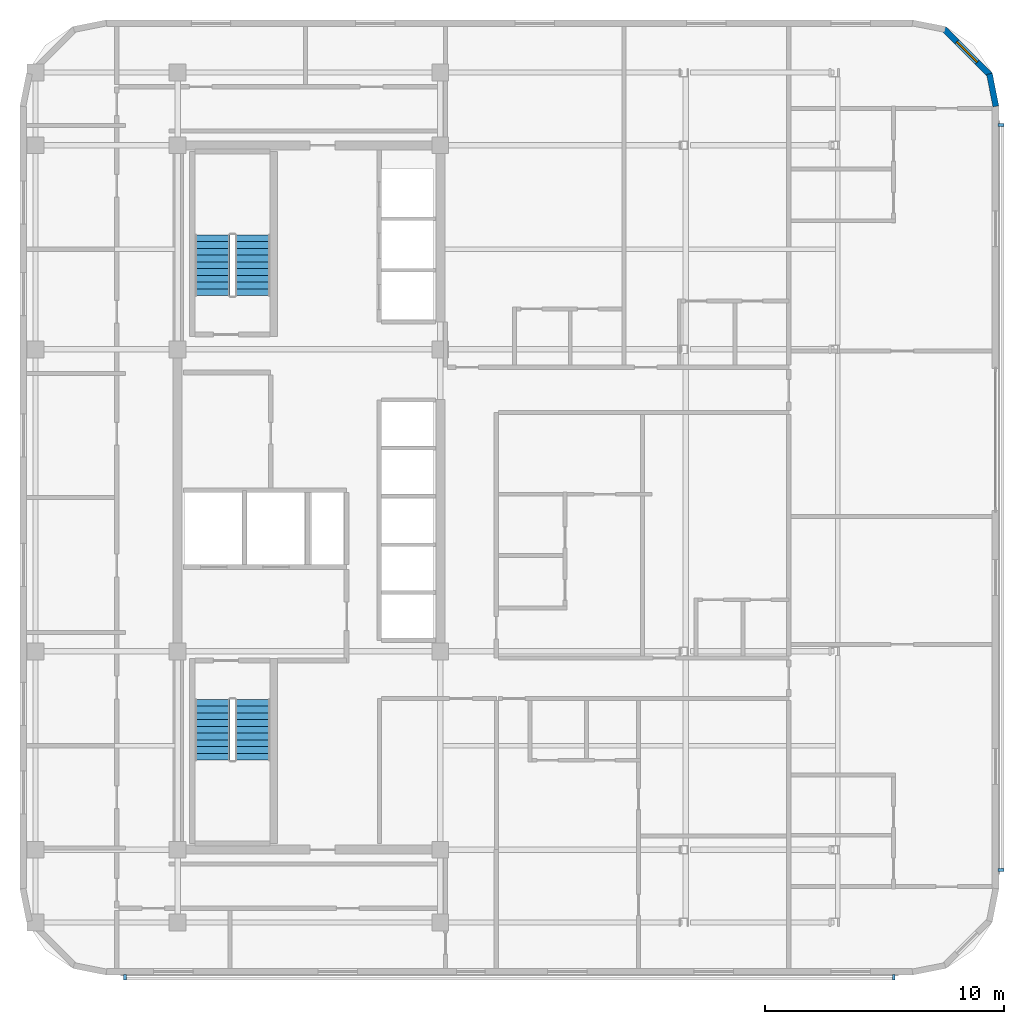
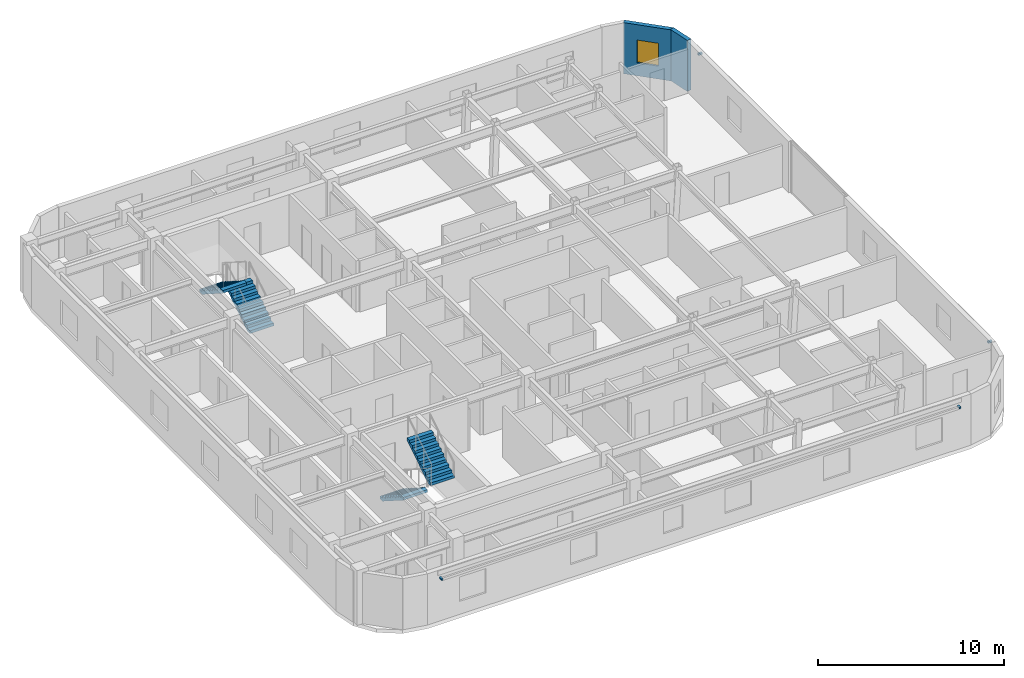
# One storey, part 8 of 11: 4 discrete accessories, 4 stair flights, 2 walls, 1 window, 1 opening, 2 elements without a shape of their own.
"""IFC4 building model written with IfcOpenShell, lengths in metres."""

from ifc_helpers import new_model, si_unit, direction, frame, frame_2d, origin, origin_2d, place, context, subcontext, project, spatial, polyline, rectangle, outline, extrude, material, layer, layer_set, type_object, element, fill, aggregate, save


model = new_model("IFC4")

# Units and contexts
model_context = context("Model", 3, precision=1e-05, world=origin(), true_north=direction((0.0, 1.0)))
body_context = subcontext(model_context, "Body", "Model", "MODEL_VIEW")
ifc_project = project(units=[si_unit("LENGTHUNIT", "METRE"), si_unit("AREAUNIT", "SQUARE_METRE"), si_unit("VOLUMEUNIT", "CUBIC_METRE"), si_unit("PLANEANGLEUNIT", "RADIAN"), si_unit("MASSUNIT", "GRAM", prefix="KILO")], contexts=[model_context])

# Site, building, storey
site_placement = place(None, origin())
site = spatial("IfcSite", under=ifc_project, at=site_placement, CompositionType="ELEMENT")
building_placement = place(site_placement, origin())
building = spatial("IfcBuilding", under=site, at=building_placement, Name="Ochreholt Gables", CompositionType="ELEMENT")
storey_placement = place(building_placement, frame((0.0, 0.0, 155.39990234375)))
storey = spatial("IfcBuildingStorey", under=building, at=storey_placement, Name="L40", CompositionType="ELEMENT", Elevation=155.39990234375)

# Wall
ifc_material_1 = material(Name="Precast concrete 40 MPa", Category="concrete")
ifc_layer = layer(ifc_material_1, 0.25, Name="Precast concrete 40 MPa")
ifc_layer_set = layer_set([ifc_layer], Name="Precast concrete 40 MPa")
wall_type = type_object("IfcWallType", Name="WALL-EXT-CNR", PredefinedType="SOLIDWALL", material=ifc_layer_set)
wall_1_placement = place(storey_placement, frame((58.475830078125, 40.383544921875, 0.0), z_axis=(0.0, 0.0, 1.0), x_axis=(-0.19496651342, 0.980809899341, 0.0)))
element("IfcWall", 1, at=wall_1_placement, inside=storey, type_object=wall_type, Name="L40 Rounded Corner Wall NE-1", PredefinedType="SOLIDWALL", context=body_context, shape_type="SweptSolid", body=[
    extrude(rectangle(XDim=1.388671875, YDim=0.25, at=frame_2d((0.6943359375, 0.0))), origin(), (0.0, 0.0, 1.0), 3.360107421875),
])

# Wall, opening, window
wall_2_placement = place(storey_placement, frame((58.23193359375, 41.695068359375, 0.0), z_axis=(0.0, 0.0, 1.0), x_axis=(-0.707106781187, 0.707106781187, 0.0)))
wall_2 = element("IfcWall", 2, at=wall_2_placement, inside=storey, type_object=wall_type, Name="L40 Rounded Corner Wall NE-2", PredefinedType="SOLIDWALL", context=body_context, shape_type="SweptSolid", body=[
    extrude(rectangle(XDim=2.7392578125, YDim=0.25, at=frame_2d((1.36962890625, 0.0))), origin(), (0.0, 0.0, 1.0), 3.360107421875),
])
opening_placement = place(wall_2_placement, frame((0.769775390625, 0.0, 0.85009765625)))
opening = element("IfcOpeningElement", 3, at=opening_placement, cuts=wall_2, Name="Opening WN-3", PredefinedType="OPENING", context=body_context, shape_type="SweptSolid", body=[
    extrude(rectangle(XDim=1.199951171875, YDim=1.5, at=frame_2d((0.60009765625, 0.75))), frame((0.0, 0.135009765625, 0.0), z_axis=(0.0, -1.0, 0.0), x_axis=(1.0, 0.0, 0.0)), (0.0, 0.0, 1.0), 0.27001953125),
])
ifc_material_2 = material(Name="Triple-Glazed Thermally Broken Aluminium Window", Category="aluminium")
window_type = type_object("IfcWindowType", Name="WIN-RES-1200", PartitioningType="SINGLE_PANEL", PredefinedType="WINDOW", material=ifc_material_2)
window_placement = place(opening_placement, origin())
window = element("IfcWindow", 4, at=window_placement, inside=storey, type_object=window_type, Name="L40 Corner Bedroom Window NE", OverallHeight=1.5, OverallWidth=1.199951171875, PartitioningType="SINGLE_PANEL", PredefinedType="WINDOW", context=body_context, shape_type="SweptSolid", body=[
    extrude(rectangle(XDim=1.199951171875, YDim=1.5, at=frame_2d((0.60009765625, 0.75))), frame((0.0, 0.030029296875, 0.0), z_axis=(0.0, -1.0, 0.0), x_axis=(1.0, 0.0, 0.0)), (0.0, 0.0, 1.0), 0.06005859375),
])
fill(opening, window)

# Stair, stair flights
ifc_material_3 = material(Name="Concrete 40 MPa", Category="concrete")
stair_type_1 = type_object("IfcStairType", Name="STAIR-CORE-ST-1", PredefinedType="HALF_TURN_STAIR", material=ifc_material_3)
stair_1_placement = place(storey_placement, origin())
stair_1 = element("IfcStair", 5, at=stair_1_placement, inside=storey, type_object=stair_type_1, Name="L40 Core Exit Stair 1", PredefinedType="HALF_TURN_STAIR")
stair_flight_type = type_object("IfcStairFlightType", Name="FLIGHT-ST-1480-1800", PredefinedType="STRAIGHT", material=ifc_material_3)
stair_flight_1_placement = place(storey_placement, frame((25.659912109375, 15.5400390625, 0.0), z_axis=(0.0, 0.0, 1.0), x_axis=(0.0, -1.0, 0.0)))
stair_flight_1 = element("IfcStairFlight", 6, at=stair_flight_1_placement, type_object=stair_flight_type, Name="ST-1 flight 1", NumberOfRisers=10, NumberOfTreads=9, PredefinedType="STRAIGHT", RiserHeight=0.18, TreadLength=0.282, context=body_context, shape_type="SweptSolid", body=[
    extrude(outline(polyline([(0.0, 0.0), (0.0, 0.179931640625), (0.281982421875, 0.179931640625), (0.281982421875, 0.360107421875), (0.56396484375, 0.360107421875), (0.56396484375, 0.5400390625), (0.845947265625, 0.5400390625), (0.845947265625, 0.719970703125), (1.1279296875, 0.719970703125), (1.1279296875, 0.89990234375), (1.409912109375, 0.89990234375), (1.409912109375, 1.080078125), (1.69189453125, 1.080078125), (1.69189453125, 1.260009765625), (1.97412109375, 1.260009765625), (1.97412109375, 1.43994140625), (2.256103515625, 1.43994140625), (2.256103515625, 1.6201171875), (2.5380859375, 1.6201171875), (2.5380859375, 1.800048828125), (2.5380859375, 1.442138671875), (0.278564453125, 0.0), (0.0, 0.0)])), frame((0.0, 0.739990234375, 0.0), z_axis=(0.0, -1.0, 0.0), x_axis=(1.0, 0.0, 0.0)), (0.0, 0.0, 1.0), 1.47998046875),
])
stair_flight_2_placement = place(storey_placement, frame((27.340087890625, 13.001953125, 1.800048828125), z_axis=(0.0, 0.0, 1.0), x_axis=(0.0, 1.0, 0.0)))
stair_flight_2 = element("IfcStairFlight", 7, at=stair_flight_2_placement, type_object=stair_flight_type, Name="ST-1 flight 2", NumberOfRisers=10, NumberOfTreads=9, PredefinedType="STRAIGHT", RiserHeight=0.18, TreadLength=0.282, context=body_context, shape_type="SweptSolid", body=[
    extrude(outline(polyline([(0.0, 0.0), (0.0, 0.179931640625), (0.281982421875, 0.179931640625), (0.281982421875, 0.360107421875), (0.56396484375, 0.360107421875), (0.56396484375, 0.5400390625), (0.845947265625, 0.5400390625), (0.845947265625, 0.719970703125), (1.1279296875, 0.719970703125), (1.1279296875, 0.89990234375), (1.409912109375, 0.89990234375), (1.409912109375, 1.080078125), (1.69189453125, 1.080078125), (1.69189453125, 1.260009765625), (1.97412109375, 1.260009765625), (1.97412109375, 1.43994140625), (2.256103515625, 1.43994140625), (2.256103515625, 1.6201171875), (2.5380859375, 1.6201171875), (2.5380859375, 1.800048828125), (2.5380859375, 1.442138671875), (0.278564453125, 0.0), (0.0, 0.0)])), frame((0.0, 0.739990234375, 0.0), z_axis=(0.0, -1.0, 0.0), x_axis=(1.0, 0.0, 0.0)), (0.0, 0.0, 1.0), 1.47998046875),
])
aggregate(stair_1, [stair_flight_1, stair_flight_2])

stair_type_2 = type_object("IfcStairType", Name="STAIR-CORE-ST-2", PredefinedType="HALF_TURN_STAIR", material=ifc_material_3)
stair_2_placement = place(storey_placement, origin())
stair_2 = element("IfcStair", 8, at=stair_2_placement, inside=storey, type_object=stair_type_2, Name="L40 Core Exit Stair 2", PredefinedType="HALF_TURN_STAIR")
stair_flight_3_placement = place(storey_placement, frame((27.340087890625, 32.4599609375, 0.0), z_axis=(0.0, 0.0, 1.0), x_axis=(0.0, 1.0, 0.0)))
stair_flight_3 = element("IfcStairFlight", 9, at=stair_flight_3_placement, type_object=stair_flight_type, Name="ST-2 flight 1", NumberOfRisers=10, NumberOfTreads=9, PredefinedType="STRAIGHT", RiserHeight=0.18, TreadLength=0.282, context=body_context, shape_type="SweptSolid", body=[
    extrude(outline(polyline([(0.0, 0.0), (0.0, 0.179931640625), (0.281982421875, 0.179931640625), (0.281982421875, 0.360107421875), (0.56396484375, 0.360107421875), (0.56396484375, 0.5400390625), (0.845947265625, 0.5400390625), (0.845947265625, 0.719970703125), (1.1279296875, 0.719970703125), (1.1279296875, 0.89990234375), (1.409912109375, 0.89990234375), (1.409912109375, 1.080078125), (1.69189453125, 1.080078125), (1.69189453125, 1.260009765625), (1.97412109375, 1.260009765625), (1.97412109375, 1.43994140625), (2.256103515625, 1.43994140625), (2.256103515625, 1.6201171875), (2.5380859375, 1.6201171875), (2.5380859375, 1.800048828125), (2.5380859375, 1.442138671875), (0.278564453125, 0.0), (0.0, 0.0)])), frame((0.0, 0.739990234375, 0.0), z_axis=(0.0, -1.0, 0.0), x_axis=(1.0, 0.0, 0.0)), (0.0, 0.0, 1.0), 1.47998046875),
])
stair_flight_4_placement = place(storey_placement, frame((25.659912109375, 34.998046875, 1.800048828125), z_axis=(0.0, 0.0, 1.0), x_axis=(0.0, -1.0, 0.0)))
stair_flight_4 = element("IfcStairFlight", 10, at=stair_flight_4_placement, type_object=stair_flight_type, Name="ST-2 flight 2", NumberOfRisers=10, NumberOfTreads=9, PredefinedType="STRAIGHT", RiserHeight=0.18, TreadLength=0.282, context=body_context, shape_type="SweptSolid", body=[
    extrude(outline(polyline([(0.0, 0.0), (0.0, 0.179931640625), (0.281982421875, 0.179931640625), (0.281982421875, 0.360107421875), (0.56396484375, 0.360107421875), (0.56396484375, 0.5400390625), (0.845947265625, 0.5400390625), (0.845947265625, 0.719970703125), (1.1279296875, 0.719970703125), (1.1279296875, 0.89990234375), (1.409912109375, 0.89990234375), (1.409912109375, 1.080078125), (1.69189453125, 1.080078125), (1.69189453125, 1.260009765625), (1.97412109375, 1.260009765625), (1.97412109375, 1.43994140625), (2.256103515625, 1.43994140625), (2.256103515625, 1.6201171875), (2.5380859375, 1.6201171875), (2.5380859375, 1.800048828125), (2.5380859375, 1.442138671875), (0.278564453125, 0.0), (0.0, 0.0)])), frame((0.0, 0.739990234375, 0.0), z_axis=(0.0, -1.0, 0.0), x_axis=(1.0, 0.0, 0.0)), (0.0, 0.0, 1.0), 1.47998046875),
])
aggregate(stair_2, [stair_flight_3, stair_flight_4])

# Discrete accessories
ifc_material_4 = material(Name="Extruded Aluminium Standoff Bracket", Category="aluminium")
discrete_accessory_type = type_object("IfcDiscreteAccessoryType", Name="ACC-BRACKET-AL", PredefinedType="BRACKET", material=ifc_material_4)
for number, where, z_axis, x_axis, name in (
    (11, (22.0, 3.909912109375, 2.780029296875), (0.0, 0.0, 1.0), (1.0, 0.0, 0.0), "L40 Baguette Standoff Bracket S1-1"),
    (12, (54.199951171875, 3.909912109375, 2.780029296875), (0.0, 0.0, 1.0), (1.0, 0.0, 0.0), "L40 Baguette Standoff Bracket S1-2"),
    (13, (58.68994140625, 8.39990234375, 2.780029296875), (0.0, 0.0, 1.0), (0.0, 1.0, 0.0), "L40 Baguette Standoff Bracket E1-1"),
    (14, (58.68994140625, 39.60009765625, 2.780029296875), (0.0, 0.0, 1.0), (0.0, 1.0, 0.0), "L40 Baguette Standoff Bracket E1-2"),
):
    element("IfcDiscreteAccessory", number, at=place(storey_placement, frame(where, z_axis=z_axis, x_axis=x_axis)), inside=storey, type_object=discrete_accessory_type, Name=name, PredefinedType="BRACKET", context=body_context, shape_type="SweptSolid", body=[
        extrude(rectangle(XDim=0.1201171875, YDim=0.239990234375, at=origin_2d()), origin(), (0.0, 0.0, 1.0), 0.1201171875),
    ])

save(model, "model.ifc")
